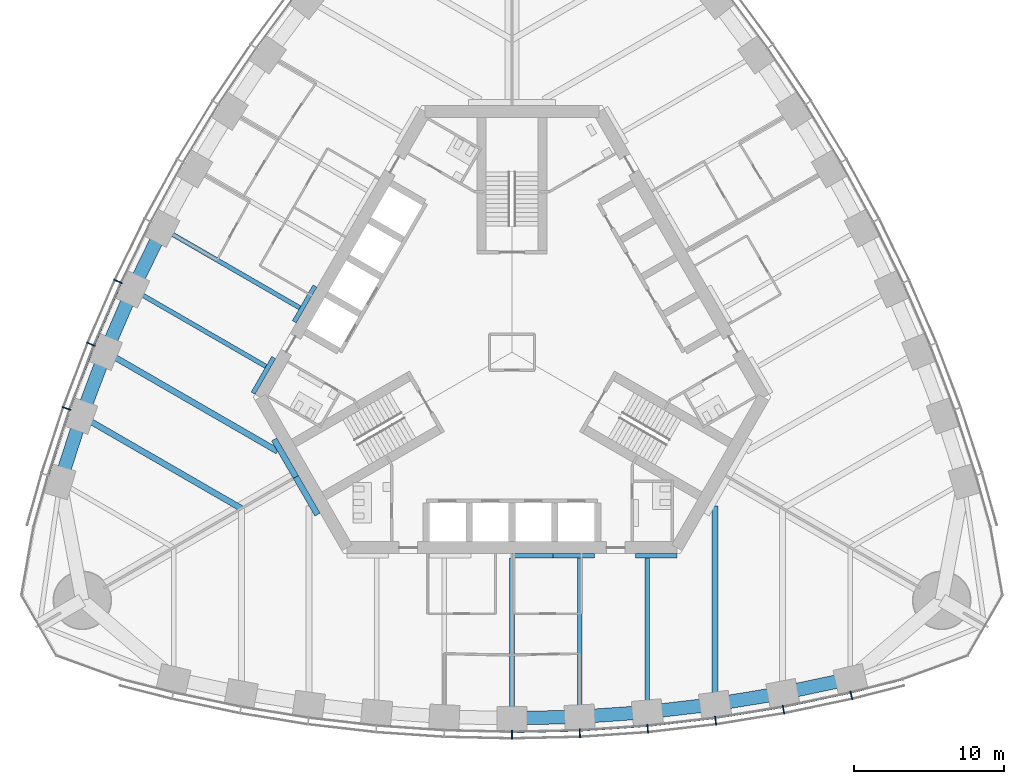
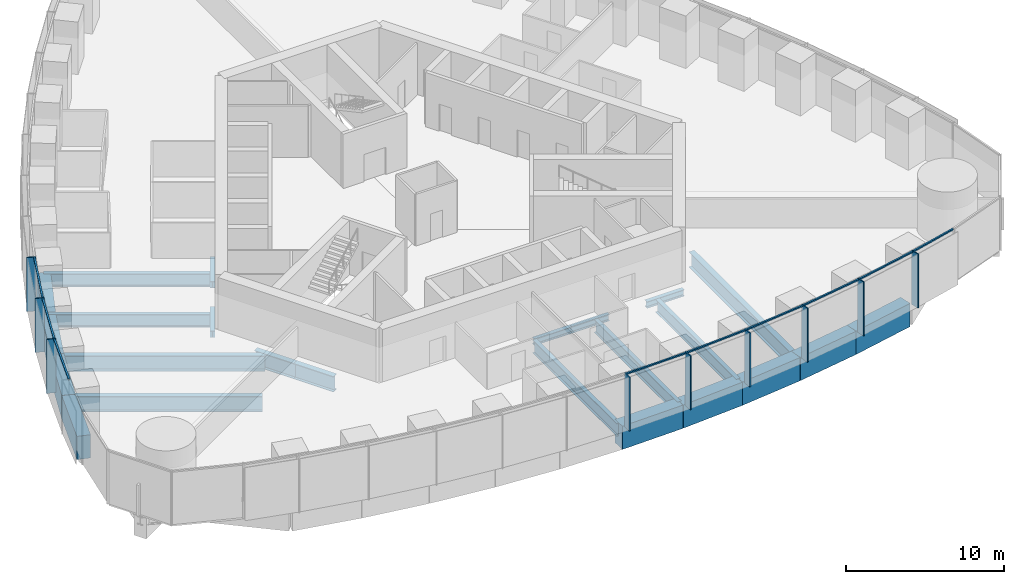
# One storey, part 3 of 18: 24 beams, 18 members, 2 elements without a shape of their own.
"""IFC4 building model written with IfcOpenShell, lengths in metres."""

from ifc_helpers import new_model, si_unit, direction, frame, origin, origin_2d, place, context, subcontext, project, spatial, rectangle, i_section, extrude, material, material_profile, profile_set, type_object, element, aggregate, save


model = new_model("IFC4")

# Units and contexts
model_context = context("Model", 3, precision=1e-05, world=origin(), true_north=direction((0.0, 1.0)))
body_context = subcontext(model_context, "Body", "Model", "MODEL_VIEW")
ifc_project = project(units=[si_unit("LENGTHUNIT", "METRE"), si_unit("AREAUNIT", "SQUARE_METRE"), si_unit("VOLUMEUNIT", "CUBIC_METRE"), si_unit("PLANEANGLEUNIT", "RADIAN"), si_unit("MASSUNIT", "GRAM", prefix="KILO")], contexts=[model_context])

# Site, building, storey
site_placement = place(None, origin())
site = spatial("IfcSite", under=ifc_project, at=site_placement, CompositionType="ELEMENT")
building_placement = place(site_placement, origin())
building = spatial("IfcBuilding", under=site, at=building_placement, Name="Trefoil Bronze Tower", CompositionType="ELEMENT")
storey_placement = place(building_placement, frame((0.0, 0.0, 202.300048828125)))
storey = spatial("IfcBuildingStorey", under=building, at=storey_placement, Name="L46", CompositionType="ELEMENT", Elevation=202.300048828125)

# Curtain wall, members
ifc_material_1 = material(Name="Tinted solar-control glass", Category="glass")
curtain_wall_type = type_object("IfcCurtainWallType", Name="Bronze office curtain wall", PredefinedType="USERDEFINED", material=ifc_material_1)
curtain_wall_1_placement = place(storey_placement, origin())
curtain_wall_1 = element("IfcCurtainWall", 1, at=curtain_wall_1_placement, inside=storey, type_object=curtain_wall_type, Name="CW-A L46 F1", ObjectType="CURTAIN WALL", PredefinedType="USERDEFINED")
ifc_material_2 = material(Name="Bronze-finish aluminium", Category="aluminium")
ifc_material_profile_1 = material_profile(ifc_material_2, rectangle(XDim=0.60009765625, YDim=0.080078125, at=origin_2d()), Name="CW-A mullion")
ifc_profile_set_1 = profile_set([ifc_material_profile_1], Name="Bronze-finish aluminium")
member_type_1 = type_object("IfcMemberType", Name="Bronze office curtain wall mullion", PredefinedType="MULLION", material=ifc_profile_set_1)
member_1_placement = place(storey_placement, frame((0.0, -25.45068359375, 0.0), z_axis=(0.0, 0.0, 1.0), x_axis=(0.0, 1.0, 0.0)))
member_1 = element("IfcMember", 2, at=member_1_placement, type_object=member_type_1, Name="CW-A L46 F1 mullion 7", PredefinedType="MULLION", context=body_context, shape_type="SweptSolid", body=[
    extrude(rectangle(XDim=0.60009765625, YDim=0.080078125, at=origin_2d()), origin(), (0.0, 0.0, 1.0), 4.179931640625),
])
member_2_placement = place(storey_placement, frame((4.513671875, -25.346923828125, 0.0), z_axis=(0.0, 0.0, 1.0), x_axis=(-0.045955542372, 0.998943485952, 0.0)))
member_2 = element("IfcMember", 3, at=member_2_placement, type_object=member_type_1, Name="CW-A L46 F1 mullion 8", PredefinedType="MULLION", context=body_context, shape_type="SweptSolid", body=[
    extrude(rectangle(XDim=0.60009765625, YDim=0.080078125, at=origin_2d()), origin(), (0.0, 0.0, 1.0), 4.179931640625),
])
member_3_placement = place(storey_placement, frame((9.027587890625, -25.03515625, 0.0), z_axis=(0.0, 0.0, 1.0), x_axis=(-0.091911396394, 0.995767189263, 0.0)))
member_3 = element("IfcMember", 4, at=member_3_placement, type_object=member_type_1, Name="CW-A L46 F1 mullion 9", PredefinedType="MULLION", context=body_context, shape_type="SweptSolid", body=[
    extrude(rectangle(XDim=0.60009765625, YDim=0.080078125, at=origin_2d()), origin(), (0.0, 0.0, 1.0), 4.179931640625),
])
member_4_placement = place(storey_placement, frame((13.541259765625, -24.51318359375, 0.0), z_axis=(0.0, 0.0, 1.0), x_axis=(-0.137867887204, 0.990450627582, 0.0)))
member_4 = element("IfcMember", 5, at=member_4_placement, type_object=member_type_1, Name="CW-A L46 F1 mullion 10", PredefinedType="MULLION", context=body_context, shape_type="SweptSolid", body=[
    extrude(rectangle(XDim=0.60009765625, YDim=0.080078125, at=origin_2d()), origin(), (0.0, 0.0, 1.0), 4.179931640625),
])
member_5_placement = place(storey_placement, frame((18.05517578125, -23.77783203125, 0.0), z_axis=(0.0, 0.0, 1.0), x_axis=(-0.183825368167, 0.982958917767, 0.0)))
member_5 = element("IfcMember", 6, at=member_5_placement, type_object=member_type_1, Name="CW-A L46 F1 mullion 11", PredefinedType="MULLION", context=body_context, shape_type="SweptSolid", body=[
    extrude(rectangle(XDim=0.60009765625, YDim=0.080078125, at=origin_2d()), origin(), (0.0, 0.0, 1.0), 4.179931640625),
])
member_6_placement = place(storey_placement, frame((22.568115234375, -22.82421875, 0.0), z_axis=(0.0, 0.0, 1.0), x_axis=(-0.227082662569, 0.973875487093, 0.0)))
member_6 = element("IfcMember", 7, at=member_6_placement, type_object=member_type_1, Name="CW-A L46 F1 mullion 12", PredefinedType="MULLION", context=body_context, shape_type="SweptSolid", body=[
    extrude(rectangle(XDim=0.60009765625, YDim=0.080078125, at=origin_2d()), origin(), (0.0, 0.0, 1.0), 4.179931640625),
])

curtain_wall_2_placement = place(storey_placement, origin())
curtain_wall_2 = element("IfcCurtainWall", 8, at=curtain_wall_2_placement, inside=storey, type_object=curtain_wall_type, Name="CW-A L46 F3", ObjectType="CURTAIN WALL", PredefinedType="USERDEFINED")
member_7_placement = place(storey_placement, frame((-26.19482421875, 4.699462890625, 0.0), z_axis=(0.0, 0.0, 1.0), x_axis=(0.908315380354, -0.418285990457, 0.0)))
member_7 = element("IfcMember", 9, at=member_7_placement, type_object=member_type_1, Name="CW-A L46 F3 mullion 9", PredefinedType="MULLION", context=body_context, shape_type="SweptSolid", body=[
    extrude(rectangle(XDim=0.60009765625, YDim=0.080078125, at=origin_2d()), origin(), (0.0, 0.0, 1.0), 4.179931640625),
])
member_8_placement = place(storey_placement, frame((-27.999755859375, 0.529541015625, 0.0), z_axis=(0.0, 0.0, 1.0), x_axis=(0.926689348282, -0.375828221106, 0.0)))
member_8 = element("IfcMember", 10, at=member_8_placement, type_object=member_type_1, Name="CW-A L46 F3 mullion 10", PredefinedType="MULLION", context=body_context, shape_type="SweptSolid", body=[
    extrude(rectangle(XDim=0.60009765625, YDim=0.080078125, at=origin_2d()), origin(), (0.0, 0.0, 1.0), 4.179931640625),
])
member_9_placement = place(storey_placement, frame((-29.619873046875, -3.747314453125, 0.0), z_axis=(0.0, 0.0, 1.0), x_axis=(0.943180077746, -0.332282020191, 0.0)))
member_9 = element("IfcMember", 11, at=member_9_placement, type_object=member_type_1, Name="CW-A L46 F3 mullion 11", PredefinedType="MULLION", context=body_context, shape_type="SweptSolid", body=[
    extrude(rectangle(XDim=0.60009765625, YDim=0.080078125, at=origin_2d()), origin(), (0.0, 0.0, 1.0), 4.179931640625),
])

# Member
ifc_material_3 = material(Name="Bronze-finish aluminium", Category="aluminium")
ifc_material_profile_2 = material_profile(ifc_material_3, rectangle(XDim=0.1201171875, YDim=0.10009765625, at=origin_2d()), Name="CW-A transom")
ifc_profile_set_2 = profile_set([ifc_material_profile_2], Name="Bronze-finish aluminium")
member_type_2 = type_object("IfcMemberType", Name="Bronze office curtain wall transom", PredefinedType="USERDEFINED", material=ifc_profile_set_2)
member_10_placement = place(storey_placement, frame((0.042236328125, -25.249755859375, 4.1298828125), z_axis=(0.999736131416, 0.022971015226, 0.0), x_axis=(-0.022971015226, 0.999736131416, 0.0)))
member_10 = element("IfcMember", 12, at=member_10_placement, type_object=member_type_2, Name="CW-A L46 F1 transom 7", ObjectType="TRANSOM", PredefinedType="USERDEFINED", context=body_context, shape_type="SweptSolid", body=[
    extrude(rectangle(XDim=0.1201171875, YDim=0.10009765625, at=origin_2d()), origin(), (0.0, 0.0, 1.0), 4.42138671875),
])

member_11_placement = place(storey_placement, frame((4.546875, -25.144287109375, 4.1298828125), z_axis=(0.997621320987, 0.06893257512, 0.0), x_axis=(-0.06893257512, 0.997621320987, 0.0)))
member_11 = element("IfcMember", 13, at=member_11_placement, type_object=member_type_2, Name="CW-A L46 F1 transom 8", ObjectType="TRANSOM", PredefinedType="USERDEFINED", context=body_context, shape_type="SweptSolid", body=[
    extrude(rectangle(XDim=0.1201171875, YDim=0.10009765625, at=origin_2d()), origin(), (0.0, 0.0, 1.0), 4.4306640625),
])

member_12_placement = place(storey_placement, frame((9.05126953125, -24.8310546875, 4.1298828125), z_axis=(0.993384885596, 0.114832352013, 0.0), x_axis=(-0.114832352013, 0.993384885596, 0.0)))
member_12 = element("IfcMember", 14, at=member_12_placement, type_object=member_type_2, Name="CW-A L46 F1 transom 9", ObjectType="TRANSOM", PredefinedType="USERDEFINED", context=body_context, shape_type="SweptSolid", body=[
    extrude(rectangle(XDim=0.1201171875, YDim=0.10009765625, at=origin_2d()), origin(), (0.0, 0.0, 1.0), 4.449951171875),
])

member_13_placement = place(storey_placement, frame((13.5556640625, -24.308349609375, 4.1298828125), z_axis=(0.986988367046, 0.160791676761, 0.0), x_axis=(-0.160791676761, 0.986988367046, 0.0)))
member_13 = element("IfcMember", 15, at=member_13_placement, type_object=member_type_2, Name="CW-A L46 F1 transom 10", ObjectType="TRANSOM", PredefinedType="USERDEFINED", context=body_context, shape_type="SweptSolid", body=[
    extrude(rectangle(XDim=0.1201171875, YDim=0.10009765625, at=origin_2d()), origin(), (0.0, 0.0, 1.0), 4.479248046875),
])

member_14_placement = place(storey_placement, frame((18.059814453125, -23.572509765625, 4.1298828125), z_axis=(0.978395325657, 0.20674280334, 0.0), x_axis=(-0.20674280334, 0.978395325657, 0.0)))
member_14 = element("IfcMember", 16, at=member_14_placement, type_object=member_type_2, Name="CW-A L46 F1 transom 11", ObjectType="TRANSOM", PredefinedType="USERDEFINED", context=body_context, shape_type="SweptSolid", body=[
    extrude(rectangle(XDim=0.1201171875, YDim=0.10009765625, at=origin_2d()), origin(), (0.0, 0.0, 1.0), 4.519287109375),
])

member_15_placement = place(storey_placement, frame((22.5634765625, -22.618896484375, 4.1298828125), z_axis=(0.968935220916, 0.247314653162, 0.0), x_axis=(-0.247314653162, 0.968935220916, 0.0)))
member_15 = element("IfcMember", 17, at=member_15_placement, type_object=member_type_2, Name="CW-A L46 F1 transom 12", ObjectType="TRANSOM", PredefinedType="USERDEFINED", context=body_context, shape_type="SweptSolid", body=[
    extrude(rectangle(XDim=0.1201171875, YDim=0.10009765625, at=origin_2d()), origin(), (0.0, 0.0, 1.0), 3.483642578125),
])

aggregate(curtain_wall_1, [member_1, member_2, member_3, member_4, member_5, member_6, member_10, member_11, member_12, member_13, member_14, member_15])

member_16_placement = place(storey_placement, frame((-26.030029296875, 4.576904296875, 4.1298828125), z_axis=(-0.397220936772, -0.917723012346, 0.0), x_axis=(0.917723012346, -0.397220936772, 0.0)))
member_16 = element("IfcMember", 18, at=member_16_placement, type_object=member_type_2, Name="CW-A L46 F3 transom 9", ObjectType="TRANSOM", PredefinedType="USERDEFINED", context=body_context, shape_type="SweptSolid", body=[
    extrude(rectangle(XDim=0.1201171875, YDim=0.10009765625, at=origin_2d()), origin(), (0.0, 0.0, 1.0), 4.449951171875),
])

member_17_placement = place(storey_placement, frame((-27.829345703125, 0.414794921875, 4.1298828125), z_axis=(-0.354263170896, -0.935145767112, 0.0), x_axis=(0.935145767112, -0.354263170896, 0.0)))
member_17 = element("IfcMember", 19, at=member_17_placement, type_object=member_type_2, Name="CW-A L46 F3 transom 10", ObjectType="TRANSOM", PredefinedType="USERDEFINED", context=body_context, shape_type="SweptSolid", body=[
    extrude(rectangle(XDim=0.1201171875, YDim=0.10009765625, at=origin_2d()), origin(), (0.0, 0.0, 1.0), 4.4794921875),
])

member_18_placement = place(storey_placement, frame((-29.4443359375, -3.85400390625, 4.1298828125), z_axis=(-0.310127806788, -0.950694874004, 0.0), x_axis=(0.950694874004, -0.310127806788, 0.0)))
member_18 = element("IfcMember", 20, at=member_18_placement, type_object=member_type_2, Name="CW-A L46 F3 transom 11", ObjectType="TRANSOM", PredefinedType="USERDEFINED", context=body_context, shape_type="SweptSolid", body=[
    extrude(rectangle(XDim=0.1201171875, YDim=0.10009765625, at=origin_2d()), origin(), (0.0, 0.0, 1.0), 4.51953125),
])

aggregate(curtain_wall_2, [member_7, member_8, member_9, member_16, member_17, member_18])

# Beams
ifc_material_4 = material(Name="Steel C355", Category="steel")
ifc_material_profile_3 = material_profile(ifc_material_4, i_section(OverallWidth=0.300048828125, OverallDepth=0.5, WebThickness=0.014404296875, FlangeThickness=0.028076171875, FilletRadius=0.027099609375, at=origin_2d()), Name="HEB 500")
ifc_profile_set_3 = profile_set([ifc_material_profile_3], Name="Steel C355")
beam_type_1 = type_object("IfcBeamType", Name="Core seat beam HEB 500", PredefinedType="BEAM", material=ifc_profile_set_3)
for number, where, z_axis, x_axis, name in (
    (21, (0.0, -13.550048828125, -0.449951171875), (1.0, 0.0, 0.0), (0.0, 1.0, 0.0), "Core seat beam F1/+0 L46"),
    (22, (2.742431640625, -13.550048828125, -0.449951171875), (1.0, 0.0, 0.0), (0.0, 1.0, 0.0), "Core seat beam F1/+1 L46"),
    (23, (8.227294921875, -13.550048828125, -0.449951171875), (1.0, 0.0, 0.0), (0.0, 1.0, 0.0), "Core seat beam F1/+2 L46"),
    (24, (-13.10595703125, 4.39990234375, -0.449951171875), (-0.499969057507, -0.866043267704, 0.0), (0.866043267704, -0.499969057507, 0.0), "Core seat beam F3/+1 L46"),
    (25, (-15.84814453125, -0.35009765625, -0.449951171875), (-0.500035825175, -0.866004719122, 0.0), (0.866004719122, -0.500035825175, 0.0), "Core seat beam F3/+2 L46"),
):
    element("IfcBeam", number, at=place(storey_placement, frame(where, z_axis=z_axis, x_axis=x_axis)), inside=storey, type_object=beam_type_1, Name=name, PredefinedType="BEAM", context=body_context, shape_type="SweptSolid", body=[
        extrude(i_section(OverallWidth=0.300048828125, OverallDepth=0.5, WebThickness=0.014404296875, FlangeThickness=0.028076171875, FilletRadius=0.027099609375, at=origin_2d()), origin(), (0.0, 0.0, 1.0), 2.742431640625),
    ])
ifc_material_5 = material(Name="Steel C355", Category="steel")
ifc_material_profile_4 = material_profile(ifc_material_5, i_section(OverallWidth=0.39990234375, OverallDepth=1.199951171875, WebThickness=0.02001953125, FlangeThickness=0.0400390625, FilletRadius=0.010009765625, at=origin_2d()), Name="WPG 1200")
ifc_profile_set_4 = profile_set([ifc_material_profile_4], Name="Steel C355")
beam_type_2 = type_object("IfcBeamType", Name="Core seat beam WPG 1200", PredefinedType="BEAM", material=ifc_profile_set_4)
for number, where, z_axis, x_axis, name in (
    (26, (-14.3759765625, -8.300048828125, -0.800048828125), (0.499995765644, -0.866027848477, 0.0), (0.866027848477, 0.499995765644, 0.0), "Core seat beam F1/-3 L46"),
    (27, (-15.8193359375, -5.800048828125, -0.800048828125), (0.499995765644, -0.866027848477, 0.0), (0.866027848477, 0.499995765644, 0.0), "Core seat beam F3/+3 L46"),
):
    element("IfcBeam", number, at=place(storey_placement, frame(where, z_axis=z_axis, x_axis=x_axis)), inside=storey, type_object=beam_type_2, Name=name, PredefinedType="BEAM", context=body_context, shape_type="SweptSolid", body=[
        extrude(i_section(OverallWidth=0.39990234375, OverallDepth=1.199951171875, WebThickness=0.02001953125, FlangeThickness=0.0400390625, FilletRadius=0.010009765625, at=origin_2d()), origin(), (0.0, 0.0, 1.0), 2.88671875),
    ])
ifc_material_6 = material(Name="Steel C355", Category="steel")
ifc_material_profile_5 = material_profile(ifc_material_6, i_section(OverallWidth=0.300048828125, OverallDepth=1.0, WebThickness=0.01904296875, FlangeThickness=0.035888671875, FilletRadius=0.030029296875, at=origin_2d()), Name="HEB 1000")
ifc_profile_set_5 = profile_set([ifc_material_profile_5], Name="Steel C355")
beam_type_3 = type_object("IfcBeamType", Name="Floor beam HEB 1000", PredefinedType="BEAM", material=ifc_profile_set_5)
beam_1_placement = place(storey_placement, frame((4.5, -24.246337890625, -0.699951171875), z_axis=(0.0, 1.0, 0.0), x_axis=(-1.0, 0.0, 0.0)))
element("IfcBeam", 28, at=beam_1_placement, inside=storey, type_object=beam_type_3, Name="Floor beam F1/+1 L46", PredefinedType="BEAM", context=body_context, shape_type="SweptSolid", body=[
    extrude(i_section(OverallWidth=0.300048828125, OverallDepth=1.0, WebThickness=0.01904296875, FlangeThickness=0.035888671875, FilletRadius=0.030029296875, at=origin_2d()), origin(), (0.0, 0.0, 1.0), 10.54638671875),
])
beam_2_placement = place(storey_placement, frame((9.0, -23.932861328125, -0.699951171875), z_axis=(0.0, 1.0, 0.0), x_axis=(-1.0, 0.0, 0.0)))
element("IfcBeam", 29, at=beam_2_placement, inside=storey, type_object=beam_type_3, Name="Floor beam F1/+2 L46", PredefinedType="BEAM", context=body_context, shape_type="SweptSolid", body=[
    extrude(i_section(OverallWidth=0.300048828125, OverallDepth=1.0, WebThickness=0.01904296875, FlangeThickness=0.035888671875, FilletRadius=0.030029296875, at=origin_2d()), origin(), (0.0, 0.0, 1.0), 10.23291015625),
])
beam_3_placement = place(storey_placement, frame((-23.248046875, 8.22607421875, -0.699951171875), z_axis=(0.866027918957, -0.499995643569, 0.0), x_axis=(0.499995643569, 0.866027918957, 0.0)))
element("IfcBeam", 30, at=beam_3_placement, inside=storey, type_object=beam_type_3, Name="Floor beam F3/+1 L46", PredefinedType="BEAM", context=body_context, shape_type="SweptSolid", body=[
    extrude(i_section(OverallWidth=0.300048828125, OverallDepth=1.0, WebThickness=0.01904296875, FlangeThickness=0.035888671875, FilletRadius=0.030029296875, at=origin_2d()), origin(), (0.0, 0.0, 1.0), 10.54638671875),
])
beam_4_placement = place(storey_placement, frame((-25.2265625, 4.17236328125, -0.699951171875), z_axis=(0.866017525653, -0.500013645076, 0.0), x_axis=(0.500013645076, 0.866017525653, 0.0)))
element("IfcBeam", 31, at=beam_4_placement, inside=storey, type_object=beam_type_3, Name="Floor beam F3/+2 L46", PredefinedType="BEAM", context=body_context, shape_type="SweptSolid", body=[
    extrude(i_section(OverallWidth=0.300048828125, OverallDepth=1.0, WebThickness=0.01904296875, FlangeThickness=0.035888671875, FilletRadius=0.030029296875, at=origin_2d()), origin(), (0.0, 0.0, 1.0), 10.233154296875),
])
ifc_material_7 = material(Name="Steel C355", Category="steel")
ifc_material_profile_6 = material_profile(ifc_material_7, i_section(OverallWidth=0.302001953125, OverallDepth=1.008056640625, WebThickness=0.02099609375, FlangeThickness=0.0400390625, FilletRadius=0.030029296875, at=origin_2d()), Name="HEM 1000")
ifc_profile_set_6 = profile_set([ifc_material_profile_6], Name="Steel C355")
beam_type_4 = type_object("IfcBeamType", Name="Floor beam HEM 1000", PredefinedType="BEAM", material=ifc_profile_set_6)
beam_5_placement = place(storey_placement, frame((0.0, -24.3505859375, -0.7041015625), z_axis=(0.0, 1.0, 0.0), x_axis=(-1.0, 0.0, 0.0)))
element("IfcBeam", 32, at=beam_5_placement, inside=storey, type_object=beam_type_4, Name="Floor beam F1/+0 L46", PredefinedType="BEAM", context=body_context, shape_type="SweptSolid", body=[
    extrude(i_section(OverallWidth=0.302001953125, OverallDepth=1.008056640625, WebThickness=0.02099609375, FlangeThickness=0.0400390625, FilletRadius=0.030029296875, at=origin_2d()), origin(), (0.0, 0.0, 1.0), 10.650634765625),
])
ifc_material_8 = material(Name="Steel C355", Category="steel")
ifc_material_profile_7 = material_profile(ifc_material_8, i_section(OverallWidth=0.39990234375, OverallDepth=1.199951171875, WebThickness=0.02001953125, FlangeThickness=0.0400390625, FilletRadius=0.010009765625, at=origin_2d()), Name="WPG 1200")
ifc_profile_set_7 = profile_set([ifc_material_profile_7], Name="Steel C355")
beam_type_5 = type_object("IfcBeamType", Name="Floor beam WPG 1200", PredefinedType="BEAM", material=ifc_profile_set_7)
for number, where, z_axis, x_axis, name in (
    (33, (13.5, -23.408447265625, -0.800048828125), (0.0, 1.0, 0.0), (-1.0, 0.0, 0.0), "Floor beam F1/+3 L46"),
    (34, (-27.022216796875, 0.012939453125, -0.800048828125), (0.866020385251, -0.500008692254, 0.0), (0.500008692254, 0.866020385251, 0.0), "Floor beam F3/+3 L46"),
):
    element("IfcBeam", number, at=place(storey_placement, frame(where, z_axis=z_axis, x_axis=x_axis)), inside=storey, type_object=beam_type_5, Name=name, PredefinedType="BEAM", context=body_context, shape_type="SweptSolid", body=[
        extrude(i_section(OverallWidth=0.39990234375, OverallDepth=1.199951171875, WebThickness=0.02001953125, FlangeThickness=0.0400390625, FilletRadius=0.010009765625, at=origin_2d()), origin(), (0.0, 0.0, 1.0), 13.191162109375),
    ])
beam_6_placement = place(storey_placement, frame((-28.632080078125, -4.25390625, -0.800048828125), z_axis=(0.866025635187, -0.499999599199, 0.0), x_axis=(0.499999599199, 0.866025635187, 0.0)))
element("IfcBeam", 35, at=beam_6_placement, inside=storey, type_object=beam_type_5, Name="Floor beam F3/+4 L46", PredefinedType="BEAM", context=body_context, shape_type="SweptSolid", body=[
    extrude(i_section(OverallWidth=0.39990234375, OverallDepth=1.199951171875, WebThickness=0.02001953125, FlangeThickness=0.0400390625, FilletRadius=0.010009765625, at=origin_2d()), origin(), (0.0, 0.0, 1.0), 12.27685546875),
])
ifc_material_9 = material(Name="Concrete B80", Category="concrete")
ifc_material_profile_8 = material_profile(ifc_material_9, rectangle(XDim=0.89990234375, YDim=1.800048828125, at=origin_2d()), Name="RC 900x1800")
ifc_profile_set_8 = profile_set([ifc_material_profile_8], Name="Concrete B80")
beam_type_6 = type_object("IfcBeamType", Name="Spandrel beam RC 900x1800", PredefinedType="SPANDREL", material=ifc_profile_set_8)
beam_7_placement = place(storey_placement, frame((0.0, -24.3505859375, -1.10009765625), z_axis=(0.999731770792, 0.023160018779, 0.0), x_axis=(-0.023160018779, 0.999731770792, 0.0)))
element("IfcBeam", 36, at=beam_7_placement, inside=storey, type_object=beam_type_6, Name="Spandrel F1.7 L46", PredefinedType="SPANDREL", context=body_context, shape_type="SweptSolid", body=[
    extrude(rectangle(XDim=0.89990234375, YDim=1.800048828125, at=origin_2d()), origin(), (0.0, 0.0, 1.0), 4.501220703125),
])
beam_8_placement = place(storey_placement, frame((4.5, -24.246337890625, -1.10009765625), z_axis=(0.997582435881, 0.069493047291, 0.0), x_axis=(-0.069493047291, 0.997582435881, 0.0)))
element("IfcBeam", 37, at=beam_8_placement, inside=storey, type_object=beam_type_6, Name="Spandrel F1.8 L46", PredefinedType="SPANDREL", context=body_context, shape_type="SweptSolid", body=[
    extrude(rectangle(XDim=0.89990234375, YDim=1.800048828125, at=origin_2d()), origin(), (0.0, 0.0, 1.0), 4.510986328125),
])
beam_9_placement = place(storey_placement, frame((9.0, -23.932861328125, -1.10009765625), z_axis=(0.993278017132, 0.115753102257, 0.0), x_axis=(-0.115753102257, 0.993278017132, 0.0)))
element("IfcBeam", 38, at=beam_9_placement, inside=storey, type_object=beam_type_6, Name="Spandrel F1.9 L46", PredefinedType="SPANDREL", context=body_context, shape_type="SweptSolid", body=[
    extrude(rectangle(XDim=0.89990234375, YDim=1.800048828125, at=origin_2d()), origin(), (0.0, 0.0, 1.0), 4.530517578125),
])
beam_10_placement = place(storey_placement, frame((13.5, -23.408447265625, -1.10009765625), z_axis=(0.986764681833, 0.162158757664, 0.0), x_axis=(-0.162158757664, 0.986764681833, 0.0)))
element("IfcBeam", 39, at=beam_10_placement, inside=storey, type_object=beam_type_6, Name="Spandrel F1.10 L46", PredefinedType="SPANDREL", context=body_context, shape_type="SweptSolid", body=[
    extrude(rectangle(XDim=0.89990234375, YDim=1.800048828125, at=origin_2d()), origin(), (0.0, 0.0, 1.0), 4.560302734375),
])
beam_11_placement = place(storey_placement, frame((18.0, -22.6689453125, -1.10009765625), z_axis=(0.978059483036, 0.208325820877, 0.0), x_axis=(-0.208325820877, 0.978059483036, 0.0)))
element("IfcBeam", 40, at=beam_11_placement, inside=storey, type_object=beam_type_6, Name="Spandrel F1.11 L46", PredefinedType="SPANDREL", context=body_context, shape_type="SweptSolid", body=[
    extrude(rectangle(XDim=0.89990234375, YDim=1.800048828125, at=origin_2d()), origin(), (0.0, 0.0, 1.0), 4.600830078125),
])
beam_12_placement = place(storey_placement, frame((-23.248046875, 8.22607421875, -1.10009765625), z_axis=(-0.438619830351, -0.898672712629, 0.0), x_axis=(0.898672712629, -0.438619830351, 0.0)))
element("IfcBeam", 41, at=beam_12_placement, inside=storey, type_object=beam_type_6, Name="Spandrel F3.8 L46", PredefinedType="SPANDREL", context=body_context, shape_type="SweptSolid", body=[
    extrude(rectangle(XDim=0.89990234375, YDim=1.800048828125, at=origin_2d()), origin(), (0.0, 0.0, 1.0), 4.5107421875),
])
beam_13_placement = place(storey_placement, frame((-25.2265625, 4.17236328125, -1.10009765625), z_axis=(-0.396350337164, -0.918099346602, 0.0), x_axis=(0.918099346602, -0.396350337164, 0.0)))
element("IfcBeam", 42, at=beam_13_placement, inside=storey, type_object=beam_type_6, Name="Spandrel F3.9 L46", PredefinedType="SPANDREL", context=body_context, shape_type="SweptSolid", body=[
    extrude(rectangle(XDim=0.89990234375, YDim=1.800048828125, at=origin_2d()), origin(), (0.0, 0.0, 1.0), 4.530517578125),
])
beam_14_placement = place(storey_placement, frame((-27.022216796875, 0.012939453125, -1.10009765625), z_axis=(-0.353005969632, -0.935621069346, 0.0), x_axis=(0.935621069346, -0.353005969632, 0.0)))
element("IfcBeam", 43, at=beam_14_placement, inside=storey, type_object=beam_type_6, Name="Spandrel F3.10 L46", PredefinedType="SPANDREL", context=body_context, shape_type="SweptSolid", body=[
    extrude(rectangle(XDim=0.89990234375, YDim=1.800048828125, at=origin_2d()), origin(), (0.0, 0.0, 1.0), 4.560546875),
])
beam_15_placement = place(storey_placement, frame((-28.632080078125, -4.25390625, -1.10009765625), z_axis=(-0.308608505504, -0.951189145402, 0.0), x_axis=(0.951189145402, -0.308608505504, 0.0)))
element("IfcBeam", 44, at=beam_15_placement, inside=storey, type_object=beam_type_6, Name="Spandrel F3.11 L46", PredefinedType="SPANDREL", context=body_context, shape_type="SweptSolid", body=[
    extrude(rectangle(XDim=0.89990234375, YDim=1.800048828125, at=origin_2d()), origin(), (0.0, 0.0, 1.0), 4.60107421875),
])

save(model, "model.ifc")
